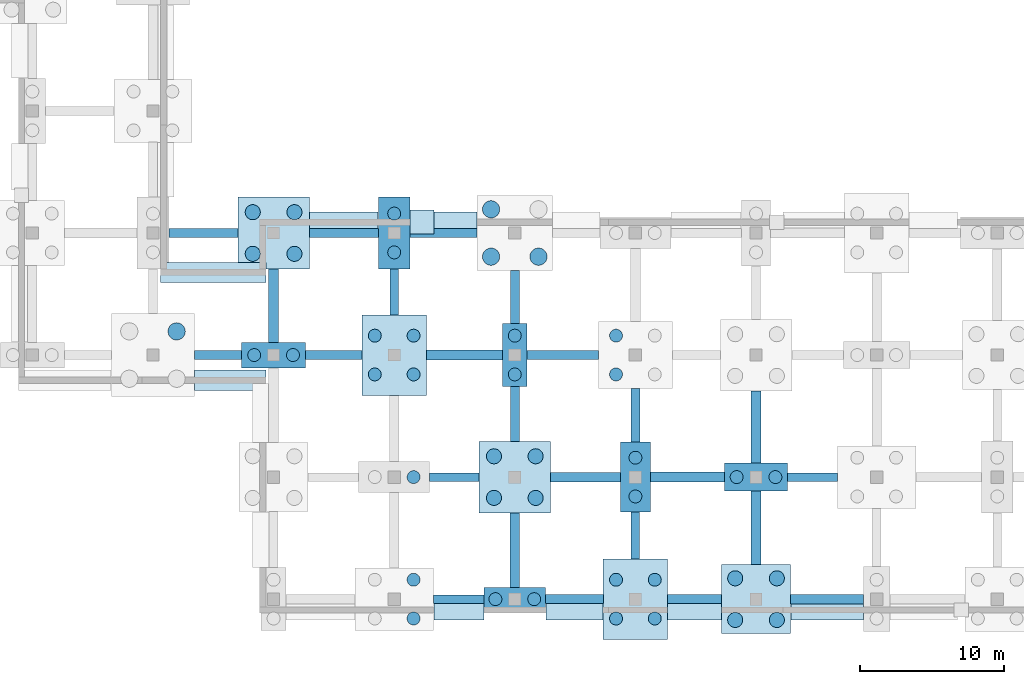
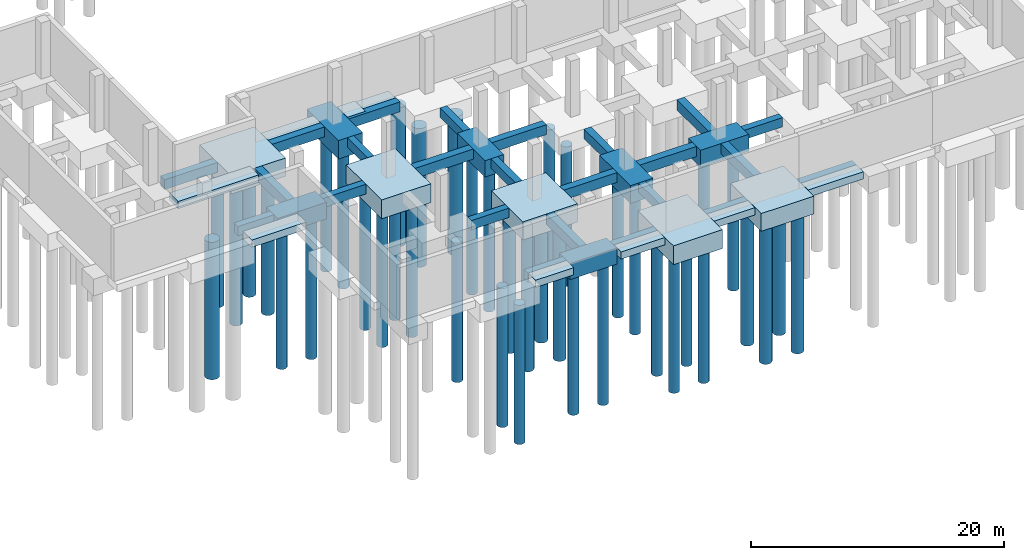
# One storey, part 12 of 34: 44 footings, 41 piles.
"""IFC4 building model written with IfcOpenShell, lengths in metres."""

from ifc_helpers import new_model, si_unit, direction, frame, origin, origin_2d, place, context, subcontext, project, spatial, rectangle, circle, extrude, material, material_profile, profile_set, type_object, element, save


model = new_model("IFC4")

# Units and contexts
model_context = context("Model", 3, precision=1e-05, world=origin(), true_north=direction((0.0, 1.0)))
body_context = subcontext(model_context, "Body", "Model", "MODEL_VIEW")
ifc_project = project(units=[si_unit("LENGTHUNIT", "METRE"), si_unit("AREAUNIT", "SQUARE_METRE"), si_unit("VOLUMEUNIT", "CUBIC_METRE"), si_unit("PLANEANGLEUNIT", "RADIAN"), si_unit("MASSUNIT", "GRAM", prefix="KILO")], contexts=[model_context])

# Site, building, storey
site_placement = place(None, origin())
site = spatial("IfcSite", under=ifc_project, at=site_placement, CompositionType="ELEMENT")
building_placement = place(site_placement, origin())
building = spatial("IfcBuilding", under=site, at=building_placement, Name="Solvento Point Concert Hall", CompositionType="ELEMENT")
storey_placement = place(building_placement, frame((0.0, 0.0, -5.39990234375)))
storey = spatial("IfcBuildingStorey", under=building, at=storey_placement, Name="B01", CompositionType="ELEMENT", Elevation=-5.39990234375)

# Piles
ifc_material_1 = material(Name="Concrete C40/50", Category="concrete")
ifc_material_profile_1 = material_profile(ifc_material_1, circle(Radius=0.52490234375, at=origin_2d()), Name="BP-1050")
ifc_profile_set_1 = profile_set([ifc_material_profile_1], Name="Concrete C40/50")
pile_type_1 = type_object("IfcPileType", Name="BoredPile_1050", PredefinedType="BORED", material=ifc_profile_set_1)
for number, where, z_axis, x_axis, name in (
    (1, (148.550048828125, 24.050048828125, -1.66015625), (0.0, 0.0, -1.0), (1.0, 0.0, 0.0), "Bored pile BoredPile_1050 #523"),
    (2, (151.449951171875, 24.050048828125, -1.66015625), (0.0, 0.0, -1.0), (1.0, 0.0, 0.0), "Bored pile BoredPile_1050 #524"),
    (3, (148.550048828125, 26.949951171875, -1.66015625), (0.0, 0.0, -1.0), (1.0, 0.0, 0.0), "Bored pile BoredPile_1050 #525"),
    (4, (151.449951171875, 26.949951171875, -1.66015625), (0.0, 0.0, -1.0), (1.0, 0.0, 0.0), "Bored pile BoredPile_1050 #526"),
    (5, (165.35009765625, 7.050048828125, -1.66015625), (0.0, 0.0, -1.0), (1.0, 0.0, 0.0), "Bored pile BoredPile_1050 #595"),
    (6, (168.25, 7.050048828125, -1.66015625), (0.0, 0.0, -1.0), (1.0, 0.0, 0.0), "Bored pile BoredPile_1050 #596"),
    (7, (165.35009765625, 9.949951171875, -1.66015625), (0.0, 0.0, -1.0), (1.0, 0.0, 0.0), "Bored pile BoredPile_1050 #597"),
    (8, (168.25, 9.949951171875, -1.66015625), (0.0, 0.0, -1.0), (1.0, 0.0, 0.0), "Bored pile BoredPile_1050 #598"),
):
    element("IfcPile", number, at=place(storey_placement, frame(where, z_axis=z_axis, x_axis=x_axis)), inside=storey, type_object=pile_type_1, Name=name, PredefinedType="BORED", context=body_context, shape_type="SweptSolid", body=[
        extrude(circle(Radius=0.52490234375, at=origin_2d()), origin(), (0.0, 0.0, 1.0), 13.43994140625),
    ])
for number, where, z_axis, x_axis, name in (
    (9, (182.14990234375, -1.449951171875, -1.6201171875), (0.0, 0.0, -1.0), (1.0, 0.0, 0.0), "Bored pile BoredPile_1050 #661"),
    (10, (185.050048828125, -1.449951171875, -1.6201171875), (0.0, 0.0, -1.0), (1.0, 0.0, 0.0), "Bored pile BoredPile_1050 #662"),
    (11, (182.14990234375, 1.449951171875, -1.6201171875), (0.0, 0.0, -1.0), (1.0, 0.0, 0.0), "Bored pile BoredPile_1050 #663"),
    (12, (185.050048828125, 1.449951171875, -1.6201171875), (0.0, 0.0, -1.0), (1.0, 0.0, 0.0), "Bored pile BoredPile_1050 #664"),
):
    element("IfcPile", number, at=place(storey_placement, frame(where, z_axis=z_axis, x_axis=x_axis)), inside=storey, type_object=pile_type_1, Name=name, PredefinedType="BORED", context=body_context, shape_type="SweptSolid", body=[
        extrude(circle(Radius=0.52490234375, at=origin_2d()), origin(), (0.0, 0.0, 1.0), 13.47998046875),
    ])
ifc_material_2 = material(Name="Concrete C40/50", Category="concrete")
ifc_material_profile_2 = material_profile(ifc_material_2, circle(Radius=0.60009765625, at=origin_2d()), Name="BP-1200")
ifc_profile_set_2 = profile_set([ifc_material_profile_2], Name="Concrete C40/50")
pile_type_2 = type_object("IfcPileType", Name="BoredPile_1200", PredefinedType="BORED", material=ifc_profile_set_2)
pile_1_placement = place(storey_placement, frame((143.25, 18.64990234375, -1.85009765625), z_axis=(0.0, 0.0, -1.0), x_axis=(1.0, 0.0, 0.0)))
element("IfcPile", 13, at=pile_1_placement, inside=storey, type_object=pile_type_2, Name="Bored pile BoredPile_1200 #478", PredefinedType="BORED", context=body_context, shape_type="SweptSolid", body=[
    extrude(circle(Radius=0.60009765625, at=origin_2d()), origin(), (0.0, 0.0, 1.0), 13.25),
])
for number, where, z_axis, x_axis, name in (
    (14, (165.14990234375, 23.85009765625, -1.7001953125), (0.0, 0.0, -1.0), (1.0, 0.0, 0.0), "Bored pile BoredPile_1200 #601"),
    (15, (168.449951171875, 23.85009765625, -1.7001953125), (0.0, 0.0, -1.0), (1.0, 0.0, 0.0), "Bored pile BoredPile_1200 #602"),
    (16, (165.14990234375, 27.14990234375, -1.7001953125), (0.0, 0.0, -1.0), (1.0, 0.0, 0.0), "Bored pile BoredPile_1200 #603"),
):
    element("IfcPile", number, at=place(storey_placement, frame(where, z_axis=z_axis, x_axis=x_axis)), inside=storey, type_object=pile_type_2, Name=name, PredefinedType="BORED", context=body_context, shape_type="SweptSolid", body=[
        extrude(circle(Radius=0.60009765625, at=origin_2d()), origin(), (0.0, 0.0, 1.0), 13.39990234375),
    ])
ifc_material_3 = material(Name="Concrete C40/50", Category="concrete")
ifc_material_profile_3 = material_profile(ifc_material_3, circle(Radius=0.449951171875, at=origin_2d()), Name="BP-900")
ifc_profile_set_3 = profile_set([ifc_material_profile_3], Name="Concrete C40/50")
pile_type_3 = type_object("IfcPileType", Name="BoredPile_900", PredefinedType="BORED", material=ifc_profile_set_3)
for number, where, z_axis, x_axis, name in (
    (17, (148.64990234375, 17.0, -1.5), (0.0, 0.0, -1.0), (1.0, 0.0, 0.0), "Bored pile BoredPile_900 #521"),
    (18, (151.35009765625, 17.0, -1.5), (0.0, 0.0, -1.0), (1.0, 0.0, 0.0), "Bored pile BoredPile_900 #522"),
):
    element("IfcPile", number, at=place(storey_placement, frame(where, z_axis=z_axis, x_axis=x_axis)), inside=storey, type_object=pile_type_3, Name=name, PredefinedType="BORED", context=body_context, shape_type="SweptSolid", body=[
        extrude(circle(Radius=0.449951171875, at=origin_2d()), origin(), (0.0, 0.0, 1.0), 13.60009765625),
    ])
for number, where, z_axis, x_axis, name in (
    (19, (159.75, -1.35009765625, -1.68017578125), (0.0, 0.0, -1.0), (1.0, 0.0, 0.0), "Bored pile BoredPile_900 #554"),
    (20, (159.75, 1.35009765625, -1.68017578125), (0.0, 0.0, -1.0), (1.0, 0.0, 0.0), "Bored pile BoredPile_900 #556"),
):
    element("IfcPile", number, at=place(storey_placement, frame(where, z_axis=z_axis, x_axis=x_axis)), inside=storey, type_object=pile_type_3, Name=name, PredefinedType="BORED", context=body_context, shape_type="SweptSolid", body=[
        extrude(circle(Radius=0.449951171875, at=origin_2d()), origin(), (0.0, 0.0, 1.0), 13.419921875),
    ])
pile_2_placement = place(storey_placement, frame((159.75, 8.5, -1.650146484375), z_axis=(0.0, 0.0, -1.0), x_axis=(1.0, 0.0, 0.0)))
element("IfcPile", 21, at=pile_2_placement, inside=storey, type_object=pile_type_3, Name="Bored pile BoredPile_900 #558", PredefinedType="BORED", context=body_context, shape_type="SweptSolid", body=[
    extrude(circle(Radius=0.449951171875, at=origin_2d()), origin(), (0.0, 0.0, 1.0), 13.449951171875),
])
for number, where, z_axis, x_axis, name in (
    (22, (157.050048828125, 15.64990234375, -1.72021484375), (0.0, 0.0, -1.0), (1.0, 0.0, 0.0), "Bored pile BoredPile_900 #559"),
    (23, (159.75, 15.64990234375, -1.72021484375), (0.0, 0.0, -1.0), (1.0, 0.0, 0.0), "Bored pile BoredPile_900 #560"),
    (24, (157.050048828125, 18.35009765625, -1.72021484375), (0.0, 0.0, -1.0), (1.0, 0.0, 0.0), "Bored pile BoredPile_900 #561"),
    (25, (159.75, 18.35009765625, -1.72021484375), (0.0, 0.0, -1.0), (1.0, 0.0, 0.0), "Bored pile BoredPile_900 #562"),
):
    element("IfcPile", number, at=place(storey_placement, frame(where, z_axis=z_axis, x_axis=x_axis)), inside=storey, type_object=pile_type_3, Name=name, PredefinedType="BORED", context=body_context, shape_type="SweptSolid", body=[
        extrude(circle(Radius=0.449951171875, at=origin_2d()), origin(), (0.0, 0.0, 1.0), 13.3798828125),
    ])
for number, where, z_axis, x_axis, name in (
    (26, (158.39990234375, 24.14990234375, -1.68017578125), (0.0, 0.0, -1.0), (1.0, 0.0, 0.0), "Bored pile BoredPile_900 #563"),
    (27, (158.39990234375, 26.85009765625, -1.68017578125), (0.0, 0.0, -1.0), (1.0, 0.0, 0.0), "Bored pile BoredPile_900 #564"),
):
    element("IfcPile", number, at=place(storey_placement, frame(where, z_axis=z_axis, x_axis=x_axis)), inside=storey, type_object=pile_type_3, Name=name, PredefinedType="BORED", context=body_context, shape_type="SweptSolid", body=[
        extrude(circle(Radius=0.449951171875, at=origin_2d()), origin(), (0.0, 0.0, 1.0), 13.419921875),
    ])
for number, where, z_axis, x_axis, name in (
    (28, (165.449951171875, 0.0, -1.4501953125), (0.0, 0.0, -1.0), (1.0, 0.0, 0.0), "Bored pile BoredPile_900 #593"),
    (29, (168.14990234375, 0.0, -1.4501953125), (0.0, 0.0, -1.0), (1.0, 0.0, 0.0), "Bored pile BoredPile_900 #594"),
):
    element("IfcPile", number, at=place(storey_placement, frame(where, z_axis=z_axis, x_axis=x_axis)), inside=storey, type_object=pile_type_3, Name=name, PredefinedType="BORED", context=body_context, shape_type="SweptSolid", body=[
        extrude(circle(Radius=0.449951171875, at=origin_2d()), origin(), (0.0, 0.0, 1.0), 13.64990234375),
    ])
for number, where, z_axis, x_axis, name in (
    (30, (166.800048828125, 15.64990234375, -1.47998046875), (0.0, 0.0, -1.0), (1.0, 0.0, 0.0), "Bored pile BoredPile_900 #599"),
    (31, (166.800048828125, 18.35009765625, -1.47998046875), (0.0, 0.0, -1.0), (1.0, 0.0, 0.0), "Bored pile BoredPile_900 #600"),
):
    element("IfcPile", number, at=place(storey_placement, frame(where, z_axis=z_axis, x_axis=x_axis)), inside=storey, type_object=pile_type_3, Name=name, PredefinedType="BORED", context=body_context, shape_type="SweptSolid", body=[
        extrude(circle(Radius=0.449951171875, at=origin_2d()), origin(), (0.0, 0.0, 1.0), 13.6201171875),
    ])
for number, where, z_axis, x_axis, name in (
    (32, (173.85009765625, -1.35009765625, -1.72021484375), (0.0, 0.0, -1.0), (1.0, 0.0, 0.0), "Bored pile BoredPile_900 #631"),
    (33, (176.550048828125, -1.35009765625, -1.72021484375), (0.0, 0.0, -1.0), (1.0, 0.0, 0.0), "Bored pile BoredPile_900 #632"),
    (34, (173.85009765625, 1.35009765625, -1.72021484375), (0.0, 0.0, -1.0), (1.0, 0.0, 0.0), "Bored pile BoredPile_900 #633"),
    (35, (176.550048828125, 1.35009765625, -1.72021484375), (0.0, 0.0, -1.0), (1.0, 0.0, 0.0), "Bored pile BoredPile_900 #634"),
):
    element("IfcPile", number, at=place(storey_placement, frame(where, z_axis=z_axis, x_axis=x_axis)), inside=storey, type_object=pile_type_3, Name=name, PredefinedType="BORED", context=body_context, shape_type="SweptSolid", body=[
        extrude(circle(Radius=0.449951171875, at=origin_2d()), origin(), (0.0, 0.0, 1.0), 13.3798828125),
    ])
for number, where, z_axis, x_axis, name in (
    (36, (175.199951171875, 7.14990234375, -1.6201171875), (0.0, 0.0, -1.0), (1.0, 0.0, 0.0), "Bored pile BoredPile_900 #635"),
    (37, (175.199951171875, 9.85009765625, -1.6201171875), (0.0, 0.0, -1.0), (1.0, 0.0, 0.0), "Bored pile BoredPile_900 #636"),
):
    element("IfcPile", number, at=place(storey_placement, frame(where, z_axis=z_axis, x_axis=x_axis)), inside=storey, type_object=pile_type_3, Name=name, PredefinedType="BORED", context=body_context, shape_type="SweptSolid", body=[
        extrude(circle(Radius=0.449951171875, at=origin_2d()), origin(), (0.0, 0.0, 1.0), 13.47998046875),
    ])
for number, where, z_axis, x_axis, name in (
    (38, (173.85009765625, 15.64990234375, -1.64013671875), (0.0, 0.0, -1.0), (1.0, 0.0, 0.0), "Bored pile BoredPile_900 #637"),
    (39, (173.85009765625, 18.35009765625, -1.64013671875), (0.0, 0.0, -1.0), (1.0, 0.0, 0.0), "Bored pile BoredPile_900 #639"),
):
    element("IfcPile", number, at=place(storey_placement, frame(where, z_axis=z_axis, x_axis=x_axis)), inside=storey, type_object=pile_type_3, Name=name, PredefinedType="BORED", context=body_context, shape_type="SweptSolid", body=[
        extrude(circle(Radius=0.449951171875, at=origin_2d()), origin(), (0.0, 0.0, 1.0), 13.4599609375),
    ])
for number, where, z_axis, x_axis, name in (
    (40, (182.25, 8.5, -1.5400390625), (0.0, 0.0, -1.0), (1.0, 0.0, 0.0), "Bored pile BoredPile_900 #665"),
    (41, (184.949951171875, 8.5, -1.5400390625), (0.0, 0.0, -1.0), (1.0, 0.0, 0.0), "Bored pile BoredPile_900 #666"),
):
    element("IfcPile", number, at=place(storey_placement, frame(where, z_axis=z_axis, x_axis=x_axis)), inside=storey, type_object=pile_type_3, Name=name, PredefinedType="BORED", context=body_context, shape_type="SweptSolid", body=[
        extrude(circle(Radius=0.449951171875, at=origin_2d()), origin(), (0.0, 0.0, 1.0), 13.56005859375),
    ])

# Footings
ifc_material_4 = material(Name="Concrete C40/50", Category="concrete")
footing_type_1 = type_object("IfcFootingType", Name="PileCap_2A", PredefinedType="PILE_CAP", material=ifc_material_4)
footing_1_placement = place(storey_placement, frame((166.800048828125, 0.0, -1.55029296875), z_axis=(0.0, 0.0, 1.0), x_axis=(1.0, 0.0, 0.0)))
element("IfcFooting", 42, at=footing_1_placement, inside=storey, type_object=footing_type_1, Name="Pile cap PC-2A at G-21-A", PredefinedType="PILE_CAP", context=body_context, shape_type="SweptSolid", body=[
    extrude(rectangle(XDim=4.300048828125, YDim=1.64990234375, at=origin_2d()), origin(), (0.0, 0.0, 1.0), 1.550048828125),
])
ifc_material_5 = material(Name="Concrete C40/50", Category="concrete")
footing_type_2 = type_object("IfcFootingType", Name="PileCap_2B", PredefinedType="PILE_CAP", material=ifc_material_5)
footing_2_placement = place(storey_placement, frame((166.800048828125, 17.0, -1.580078125), z_axis=(0.0, 0.0, 1.0), x_axis=(1.0, 0.0, 0.0)))
element("IfcFooting", 43, at=footing_2_placement, inside=storey, type_object=footing_type_2, Name="Pile cap PC-2B at G-21-C", PredefinedType="PILE_CAP", context=body_context, shape_type="SweptSolid", body=[
    extrude(rectangle(XDim=1.719970703125, YDim=4.3798828125, at=origin_2d()), origin(), (0.0, 0.0, 1.0), 1.580078125),
])
ifc_material_6 = material(Name="Concrete C40/50", Category="concrete")
footing_type_3 = type_object("IfcFootingType", Name="PileCap_2C", PredefinedType="PILE_CAP", material=ifc_material_6)
footing_3_placement = place(storey_placement, frame((150.0, 17.0, -1.60009765625), z_axis=(0.0, 0.0, 1.0), x_axis=(1.0, 0.0, 0.0)))
element("IfcFooting", 44, at=footing_3_placement, inside=storey, type_object=footing_type_3, Name="Pile cap PC-2C at G-19-C", PredefinedType="PILE_CAP", context=body_context, shape_type="SweptSolid", body=[
    extrude(rectangle(XDim=4.4599609375, YDim=1.780029296875, at=origin_2d()), origin(), (0.0, 0.0, 1.0), 1.60009765625),
])
ifc_material_7 = material(Name="Concrete C40/50", Category="concrete")
footing_type_4 = type_object("IfcFootingType", Name="PileCap_2H", PredefinedType="PILE_CAP", material=ifc_material_7)
footing_4_placement = place(storey_placement, frame((175.199951171875, 8.5, -1.72021484375), z_axis=(0.0, 0.0, 1.0), x_axis=(1.0, 0.0, 0.0)))
element("IfcFooting", 45, at=footing_4_placement, inside=storey, type_object=footing_type_4, Name="Pile cap PC-2H at G-22-B", PredefinedType="PILE_CAP", context=body_context, shape_type="SweptSolid", body=[
    extrude(rectangle(XDim=2.080078125, YDim=4.860107421875, at=origin_2d()), origin(), (0.0, 0.0, 1.0), 1.719970703125),
])
ifc_material_8 = material(Name="Concrete C40/50", Category="concrete")
footing_type_5 = type_object("IfcFootingType", Name="PileCap_2K", PredefinedType="PILE_CAP", material=ifc_material_8)
footing_5_placement = place(storey_placement, frame((158.39990234375, 25.5, -1.7802734375), z_axis=(0.0, 0.0, 1.0), x_axis=(1.0, 0.0, 0.0)))
element("IfcFooting", 46, at=footing_5_placement, inside=storey, type_object=footing_type_5, Name="Pile cap PC-2K at G-20-D", PredefinedType="PILE_CAP", context=body_context, shape_type="SweptSolid", body=[
    extrude(rectangle(XDim=2.199951171875, YDim=5.02001953125, at=origin_2d()), origin(), (0.0, 0.0, 1.0), 1.780029296875),
])
ifc_material_9 = material(Name="Concrete C40/50", Category="concrete")
footing_type_6 = type_object("IfcFootingType", Name="PileCap_2N", PredefinedType="PILE_CAP", material=ifc_material_9)
footing_6_placement = place(storey_placement, frame((183.60009765625, 8.5, -1.64013671875), z_axis=(0.0, 0.0, 1.0), x_axis=(1.0, 0.0, 0.0)))
element("IfcFooting", 47, at=footing_6_placement, inside=storey, type_object=footing_type_6, Name="Pile cap PC-2N at G-23-B", PredefinedType="PILE_CAP", context=body_context, shape_type="SweptSolid", body=[
    extrude(rectangle(XDim=4.39990234375, YDim=1.93994140625, at=origin_2d()), origin(), (0.0, 0.0, 1.0), 1.639892578125),
])
ifc_material_10 = material(Name="Concrete C40/50", Category="concrete")
footing_type_7 = type_object("IfcFootingType", Name="PileCap_4C", PredefinedType="PILE_CAP", material=ifc_material_10)
footing_7_placement = place(storey_placement, frame((183.60009765625, 0.0, -1.72021484375), z_axis=(0.0, 0.0, 1.0), x_axis=(1.0, 0.0, 0.0)))
element("IfcFooting", 48, at=footing_7_placement, inside=storey, type_object=footing_type_7, Name="Pile cap PC-4C at G-23-A", PredefinedType="PILE_CAP", context=body_context, shape_type="SweptSolid", body=[
    extrude(rectangle(XDim=4.820068359375, YDim=4.820068359375, at=origin_2d()), origin(), (0.0, 0.0, 1.0), 1.719970703125),
])
ifc_material_11 = material(Name="Concrete C40/50", Category="concrete")
footing_type_8 = type_object("IfcFootingType", Name="PileCap_4D", PredefinedType="PILE_CAP", material=ifc_material_11)
for number, where, z_axis, x_axis, name in (
    (49, (150.0, 25.5, -1.76025390625), (0.0, 0.0, 1.0), (1.0, 0.0, 0.0), "Pile cap PC-4D at G-19-D"),
    (50, (166.800048828125, 8.5, -1.76025390625), (0.0, 0.0, 1.0), (1.0, 0.0, 0.0), "Pile cap PC-4D at G-21-B"),
):
    element("IfcFooting", number, at=place(storey_placement, frame(where, z_axis=z_axis, x_axis=x_axis)), inside=storey, type_object=footing_type_8, Name=name, PredefinedType="PILE_CAP", context=body_context, shape_type="SweptSolid", body=[
        extrude(rectangle(XDim=4.97998046875, YDim=4.97998046875, at=origin_2d()), origin(), (0.0, 0.0, 1.0), 1.760009765625),
    ])
ifc_material_12 = material(Name="Concrete C40/50", Category="concrete")
footing_type_9 = type_object("IfcFootingType", Name="PileCap_4K", PredefinedType="PILE_CAP", material=ifc_material_12)
for number, where, z_axis, x_axis, name in (
    (51, (158.39990234375, 17.0, -1.8203125), (0.0, 0.0, 1.0), (1.0, 0.0, 0.0), "Pile cap PC-4K at G-20-C"),
    (52, (175.199951171875, 0.0, -1.8203125), (0.0, 0.0, 1.0), (1.0, 0.0, 0.0), "Pile cap PC-4K at G-22-A"),
):
    element("IfcFooting", number, at=place(storey_placement, frame(where, z_axis=z_axis, x_axis=x_axis)), inside=storey, type_object=footing_type_9, Name=name, PredefinedType="PILE_CAP", context=body_context, shape_type="SweptSolid", body=[
        extrude(rectangle(XDim=4.47998046875, YDim=5.60009765625, at=origin_2d()), origin(), (0.0, 0.0, 1.0), 1.820068359375),
    ])
ifc_material_13 = material(Name="Concrete C40/50", Category="concrete")
footing_type_10 = type_object("IfcFootingType", Name="StripFooting_1400x700", PredefinedType="STRIP_FOOTING", material=ifc_material_13)
footing_8_placement = place(storey_placement, frame((145.800048828125, 22.7548828125, -0.7001953125), z_axis=(0.0, 0.0, 1.0), x_axis=(1.0, 0.0, 0.0)))
element("IfcFooting", 53, at=footing_8_placement, inside=storey, type_object=footing_type_10, Name="Strip footing SF-02", PredefinedType="STRIP_FOOTING", context=body_context, shape_type="SweptSolid", body=[
    extrude(rectangle(XDim=7.340087890625, YDim=1.39990234375, at=origin_2d()), origin(), (0.0, 0.0, 1.0), 0.699951171875),
])
footing_9_placement = place(storey_placement, frame((154.89501953125, 26.2548828125, -0.7001953125), z_axis=(0.0, 0.0, 1.0), x_axis=(1.0, 0.0, 0.0)))
element("IfcFooting", 54, at=footing_9_placement, inside=storey, type_object=footing_type_10, Name="Strip footing SF-02", PredefinedType="STRIP_FOOTING", context=body_context, shape_type="SweptSolid", body=[
    extrude(rectangle(XDim=4.7900390625, YDim=1.39990234375, at=origin_2d()), origin(), (0.0, 0.0, 1.0), 0.699951171875),
])
footing_10_placement = place(storey_placement, frame((160.341064453125, 26.2548828125, -0.7001953125), z_axis=(0.0, 0.0, 1.0), x_axis=(1.0, 0.0, 0.0)))
element("IfcFooting", 55, at=footing_10_placement, inside=storey, type_object=footing_type_10, Name="Strip footing SF-02", PredefinedType="STRIP_FOOTING", context=body_context, shape_type="SweptSolid", body=[
    extrude(rectangle(XDim=1.662109375, YDim=1.662109375, at=origin_2d()), origin(), (0.0, 0.0, 1.0), 0.699951171875),
])
footing_11_placement = place(storey_placement, frame((162.673583984375, 26.2548828125, -0.7001953125), z_axis=(0.0, 0.0, 1.0), x_axis=(1.0, 0.0, 0.0)))
element("IfcFooting", 56, at=footing_11_placement, inside=storey, type_object=footing_type_10, Name="Strip footing SF-02", PredefinedType="STRIP_FOOTING", context=body_context, shape_type="SweptSolid", body=[
    extrude(rectangle(XDim=2.98291015625, YDim=1.39990234375, at=origin_2d()), origin(), (0.0, 0.0, 1.0), 0.699951171875),
])
footing_12_placement = place(storey_placement, frame((188.544921875, -0.7548828125, -0.7001953125), z_axis=(0.0, 0.0, 1.0), x_axis=(-1.0, 0.0, 0.0)))
element("IfcFooting", 57, at=footing_12_placement, inside=storey, type_object=footing_type_10, Name="Strip footing SF-02", PredefinedType="STRIP_FOOTING", context=body_context, shape_type="SweptSolid", body=[
    extrude(rectangle(XDim=5.050048828125, YDim=1.39990234375, at=origin_2d()), origin(), (0.0, 0.0, 1.0), 0.699951171875),
])
footing_13_placement = place(storey_placement, frame((179.31494140625, -0.7548828125, -0.7001953125), z_axis=(0.0, 0.0, 1.0), x_axis=(-1.0, 0.0, 0.0)))
element("IfcFooting", 58, at=footing_13_placement, inside=storey, type_object=footing_type_10, Name="Strip footing SF-02", PredefinedType="STRIP_FOOTING", context=body_context, shape_type="SweptSolid", body=[
    extrude(rectangle(XDim=3.72998046875, YDim=1.39990234375, at=origin_2d()), origin(), (0.0, 0.0, 1.0), 0.699951171875),
])
footing_14_placement = place(storey_placement, frame((170.955078125, -0.7548828125, -0.7001953125), z_axis=(0.0, 0.0, 1.0), x_axis=(-1.0, 0.0, 0.0)))
element("IfcFooting", 59, at=footing_14_placement, inside=storey, type_object=footing_type_10, Name="Strip footing SF-02", PredefinedType="STRIP_FOOTING", context=body_context, shape_type="SweptSolid", body=[
    extrude(rectangle(XDim=3.989990234375, YDim=1.39990234375, at=origin_2d()), origin(), (0.0, 0.0, 1.0), 0.699951171875),
])
footing_15_placement = place(storey_placement, frame((162.906005859375, -0.7548828125, -0.7001953125), z_axis=(0.0, 0.0, 1.0), x_axis=(-1.0, 0.0, 0.0)))
element("IfcFooting", 60, at=footing_15_placement, inside=storey, type_object=footing_type_10, Name="Strip footing SF-02", PredefinedType="STRIP_FOOTING", context=body_context, shape_type="SweptSolid", body=[
    extrude(rectangle(XDim=3.468017578125, YDim=1.39990234375, at=origin_2d()), origin(), (0.0, 0.0, 1.0), 0.699951171875),
])
footing_16_placement = place(storey_placement, frame((146.989990234375, 15.2451171875, -0.7001953125), z_axis=(0.0, 0.0, 1.0), x_axis=(-1.0, 0.0, 0.0)))
element("IfcFooting", 61, at=footing_16_placement, inside=storey, type_object=footing_type_10, Name="Strip footing SF-02", PredefinedType="STRIP_FOOTING", context=body_context, shape_type="SweptSolid", body=[
    extrude(rectangle(XDim=4.9599609375, YDim=1.39990234375, at=origin_2d()), origin(), (0.0, 0.0, 1.0), 0.699951171875),
])
ifc_material_14 = material(Name="Concrete C40/50", Category="concrete")
footing_type_11 = type_object("IfcFootingType", Name="TieBeam_600x900", PredefinedType="FOOTING_BEAM", material=ifc_material_14)
footing_17_placement = place(storey_placement, frame((162.889892578125, 0.0, -0.900146484375), z_axis=(0.0, 0.0, 1.0), x_axis=(1.0, 0.0, 0.0)))
element("IfcFooting", 62, at=footing_17_placement, inside=storey, type_object=footing_type_11, Name="Seismic tie beam GB-01", PredefinedType="FOOTING_BEAM", context=body_context, shape_type="SweptSolid", body=[
    extrude(rectangle(XDim=3.52001953125, YDim=0.60009765625, at=origin_2d()), origin(), (0.0, 0.0, 1.0), 0.89990234375),
])
footing_18_placement = place(storey_placement, frame((162.590087890625, 8.5, -0.900146484375), z_axis=(0.0, 0.0, 1.0), x_axis=(1.0, 0.0, 0.0)))
element("IfcFooting", 63, at=footing_18_placement, inside=storey, type_object=footing_type_11, Name="Seismic tie beam GB-01", PredefinedType="FOOTING_BEAM", context=body_context, shape_type="SweptSolid", body=[
    extrude(rectangle(XDim=3.43994140625, YDim=0.60009765625, at=origin_2d()), origin(), (0.0, 0.0, 1.0), 0.89990234375),
])
footing_19_placement = place(storey_placement, frame((187.534912109375, 8.5, -0.900146484375), z_axis=(0.0, 0.0, 1.0), x_axis=(1.0, 0.0, 0.0)))
element("IfcFooting", 64, at=footing_19_placement, inside=storey, type_object=footing_type_11, Name="Seismic tie beam GB-01", PredefinedType="FOOTING_BEAM", context=body_context, shape_type="SweptSolid", body=[
    extrude(rectangle(XDim=3.469970703125, YDim=0.60009765625, at=origin_2d()), origin(), (0.0, 0.0, 1.0), 0.89990234375),
])
footing_20_placement = place(storey_placement, frame((146.135009765625, 17.0, -0.900146484375), z_axis=(0.0, 0.0, 1.0), x_axis=(1.0, 0.0, 0.0)))
element("IfcFooting", 65, at=footing_20_placement, inside=storey, type_object=footing_type_11, Name="Seismic tie beam GB-01", PredefinedType="FOOTING_BEAM", context=body_context, shape_type="SweptSolid", body=[
    extrude(rectangle(XDim=3.27001953125, YDim=0.60009765625, at=origin_2d()), origin(), (0.0, 0.0, 1.0), 0.89990234375),
])
footing_21_placement = place(storey_placement, frame((158.39990234375, 21.39501953125, -0.900146484375), z_axis=(0.0, 0.0, 1.0), x_axis=(0.0, 1.0, 0.0)))
element("IfcFooting", 66, at=footing_21_placement, inside=storey, type_object=footing_type_11, Name="Seismic tie beam GB-01", PredefinedType="FOOTING_BEAM", context=body_context, shape_type="SweptSolid", body=[
    extrude(rectangle(XDim=3.18994140625, YDim=0.60009765625, at=origin_2d()), origin(), (0.0, 0.0, 1.0), 0.89990234375),
])
footing_22_placement = place(storey_placement, frame((175.199951171875, 4.43505859375, -0.900146484375), z_axis=(0.0, 0.0, 1.0), x_axis=(0.0, 1.0, 0.0)))
element("IfcFooting", 67, at=footing_22_placement, inside=storey, type_object=footing_type_11, Name="Seismic tie beam GB-01", PredefinedType="FOOTING_BEAM", context=body_context, shape_type="SweptSolid", body=[
    extrude(rectangle(XDim=3.27001953125, YDim=0.60009765625, at=origin_2d()), origin(), (0.0, 0.0, 1.0), 0.89990234375),
])
ifc_material_15 = material(Name="Concrete C40/50", Category="concrete")
footing_type_12 = type_object("IfcFootingType", Name="TieBeam_620x920", PredefinedType="FOOTING_BEAM", material=ifc_material_15)
footing_23_placement = place(storey_placement, frame((170.955078125, 0.0, -0.920166015625), z_axis=(0.0, 0.0, 1.0), x_axis=(1.0, 0.0, 0.0)))
element("IfcFooting", 68, at=footing_23_placement, inside=storey, type_object=footing_type_12, Name="Seismic tie beam GB-02", PredefinedType="FOOTING_BEAM", context=body_context, shape_type="SweptSolid", body=[
    extrude(rectangle(XDim=4.010009765625, YDim=0.6201171875, at=origin_2d()), origin(), (0.0, 0.0, 1.0), 0.919921875),
])
footing_24_placement = place(storey_placement, frame((179.31494140625, 0.0, -0.920166015625), z_axis=(0.0, 0.0, 1.0), x_axis=(1.0, 0.0, 0.0)))
element("IfcFooting", 69, at=footing_24_placement, inside=storey, type_object=footing_type_12, Name="Seismic tie beam GB-02", PredefinedType="FOOTING_BEAM", context=body_context, shape_type="SweptSolid", body=[
    extrude(rectangle(XDim=3.75, YDim=0.6201171875, at=origin_2d()), origin(), (0.0, 0.0, 1.0), 0.919921875),
])
footing_25_placement = place(storey_placement, frame((154.195068359375, 17.0, -0.920166015625), z_axis=(0.0, 0.0, 1.0), x_axis=(1.0, 0.0, 0.0)))
element("IfcFooting", 70, at=footing_25_placement, inside=storey, type_object=footing_type_12, Name="Seismic tie beam GB-02", PredefinedType="FOOTING_BEAM", context=body_context, shape_type="SweptSolid", body=[
    extrude(rectangle(XDim=3.929931640625, YDim=0.6201171875, at=origin_2d()), origin(), (0.0, 0.0, 1.0), 0.919921875),
])
footing_26_placement = place(storey_placement, frame((166.800048828125, 12.89990234375, -0.920166015625), z_axis=(0.0, 0.0, 1.0), x_axis=(0.0, 1.0, 0.0)))
element("IfcFooting", 71, at=footing_26_placement, inside=storey, type_object=footing_type_12, Name="Seismic tie beam GB-02", PredefinedType="FOOTING_BEAM", context=body_context, shape_type="SweptSolid", body=[
    extrude(rectangle(XDim=3.820068359375, YDim=0.6201171875, at=origin_2d()), origin(), (0.0, 0.0, 1.0), 0.919921875),
])
footing_27_placement = place(storey_placement, frame((166.800048828125, 21.032470703125, -0.920166015625), z_axis=(0.0, 0.0, 1.0), x_axis=(0.0, 1.0, 0.0)))
element("IfcFooting", 72, at=footing_27_placement, inside=storey, type_object=footing_type_12, Name="Seismic tie beam GB-02", PredefinedType="FOOTING_BEAM", context=body_context, shape_type="SweptSolid", body=[
    extrude(rectangle(XDim=3.68505859375, YDim=0.6201171875, at=origin_2d()), origin(), (0.0, 0.0, 1.0), 0.919921875),
])
footing_28_placement = place(storey_placement, frame((175.199951171875, 12.800048828125, -0.920166015625), z_axis=(0.0, 0.0, 1.0), x_axis=(0.0, 1.0, 0.0)))
element("IfcFooting", 73, at=footing_28_placement, inside=storey, type_object=footing_type_12, Name="Seismic tie beam GB-02", PredefinedType="FOOTING_BEAM", context=body_context, shape_type="SweptSolid", body=[
    extrude(rectangle(XDim=3.739990234375, YDim=0.6201171875, at=origin_2d()), origin(), (0.0, 0.0, 1.0), 0.919921875),
])
ifc_material_16 = material(Name="Concrete C40/50", Category="concrete")
footing_type_13 = type_object("IfcFootingType", Name="TieBeam_650x950", PredefinedType="FOOTING_BEAM", material=ifc_material_16)
footing_29_placement = place(storey_placement, frame((171.72509765625, 8.5, -0.9501953125), z_axis=(0.0, 0.0, 1.0), x_axis=(1.0, 0.0, 0.0)))
element("IfcFooting", 74, at=footing_29_placement, inside=storey, type_object=footing_type_13, Name="Seismic tie beam GB-03", PredefinedType="FOOTING_BEAM", context=body_context, shape_type="SweptSolid", body=[
    extrude(rectangle(XDim=4.8701171875, YDim=0.64990234375, at=origin_2d()), origin(), (0.0, 0.0, 1.0), 0.949951171875),
])
footing_30_placement = place(storey_placement, frame((170.139892578125, 17.0, -0.9501953125), z_axis=(0.0, 0.0, 1.0), x_axis=(1.0, 0.0, 0.0)))
element("IfcFooting", 75, at=footing_30_placement, inside=storey, type_object=footing_type_13, Name="Seismic tie beam GB-03", PredefinedType="FOOTING_BEAM", context=body_context, shape_type="SweptSolid", body=[
    extrude(rectangle(XDim=4.9599609375, YDim=0.64990234375, at=origin_2d()), origin(), (0.0, 0.0, 1.0), 0.949951171875),
])
for number, where, z_axis, x_axis, name in (
    (76, (145.10498046875, 25.5, -0.9501953125), (0.0, 0.0, 1.0), (1.0, 0.0, 0.0), "Seismic tie beam GB-03"),
    (77, (154.89501953125, 25.5, -0.9501953125), (0.0, 0.0, 1.0), (1.0, 0.0, 0.0), "Seismic tie beam GB-03"),
):
    element("IfcFooting", number, at=place(storey_placement, frame(where, z_axis=z_axis, x_axis=x_axis)), inside=storey, type_object=footing_type_13, Name=name, PredefinedType="FOOTING_BEAM", context=body_context, shape_type="SweptSolid", body=[
        extrude(rectangle(XDim=4.81005859375, YDim=0.64990234375, at=origin_2d()), origin(), (0.0, 0.0, 1.0), 0.949951171875),
    ])
footing_31_placement = place(storey_placement, frame((161.83740234375, 25.5, -0.9501953125), z_axis=(0.0, 0.0, 1.0), x_axis=(1.0, 0.0, 0.0)))
element("IfcFooting", 78, at=footing_31_placement, inside=storey, type_object=footing_type_13, Name="Seismic tie beam GB-03", PredefinedType="FOOTING_BEAM", context=body_context, shape_type="SweptSolid", body=[
    extrude(rectangle(XDim=4.675048828125, YDim=0.64990234375, at=origin_2d()), origin(), (0.0, 0.0, 1.0), 0.949951171875),
])
ifc_material_17 = material(Name="Concrete C40/50", Category="concrete")
footing_type_14 = type_object("IfcFootingType", Name="TieBeam_680x980", PredefinedType="FOOTING_BEAM", material=ifc_material_17)
footing_32_placement = place(storey_placement, frame((188.544921875, 0.0, -0.97998046875), z_axis=(0.0, 0.0, 1.0), x_axis=(1.0, 0.0, 0.0)))
element("IfcFooting", 79, at=footing_32_placement, inside=storey, type_object=footing_type_14, Name="Seismic tie beam GB-04", PredefinedType="FOOTING_BEAM", context=body_context, shape_type="SweptSolid", body=[
    extrude(rectangle(XDim=5.070068359375, YDim=0.679931640625, at=origin_2d()), origin(), (0.0, 0.0, 1.0), 0.97998046875),
])
footing_33_placement = place(storey_placement, frame((178.820068359375, 8.5, -0.97998046875), z_axis=(0.0, 0.0, 1.0), x_axis=(1.0, 0.0, 0.0)))
element("IfcFooting", 80, at=footing_33_placement, inside=storey, type_object=footing_type_14, Name="Seismic tie beam GB-04", PredefinedType="FOOTING_BEAM", context=body_context, shape_type="SweptSolid", body=[
    extrude(rectangle(XDim=5.159912109375, YDim=0.679931640625, at=origin_2d()), origin(), (0.0, 0.0, 1.0), 0.97998046875),
])
footing_34_placement = place(storey_placement, frame((163.2900390625, 17.0, -0.97998046875), z_axis=(0.0, 0.0, 1.0), x_axis=(1.0, 0.0, 0.0)))
element("IfcFooting", 81, at=footing_34_placement, inside=storey, type_object=footing_type_14, Name="Seismic tie beam GB-04", PredefinedType="FOOTING_BEAM", context=body_context, shape_type="SweptSolid", body=[
    extrude(rectangle(XDim=5.300048828125, YDim=0.679931640625, at=origin_2d()), origin(), (0.0, 0.0, 1.0), 0.97998046875),
])
footing_35_placement = place(storey_placement, frame((150.0, 20.449951171875, -0.97998046875), z_axis=(0.0, 0.0, 1.0), x_axis=(0.0, 1.0, 0.0)))
element("IfcFooting", 82, at=footing_35_placement, inside=storey, type_object=footing_type_14, Name="Seismic tie beam GB-04", PredefinedType="FOOTING_BEAM", context=body_context, shape_type="SweptSolid", body=[
    extrude(rectangle(XDim=5.1201171875, YDim=0.679931640625, at=origin_2d()), origin(), (0.0, 0.0, 1.0), 0.97998046875),
])
footing_36_placement = place(storey_placement, frame((166.800048828125, 3.41748046875, -0.97998046875), z_axis=(0.0, 0.0, 1.0), x_axis=(0.0, 1.0, 0.0)))
element("IfcFooting", 83, at=footing_36_placement, inside=storey, type_object=footing_type_14, Name="Seismic tie beam GB-04", PredefinedType="FOOTING_BEAM", context=body_context, shape_type="SweptSolid", body=[
    extrude(rectangle(XDim=5.18505859375, YDim=0.679931640625, at=origin_2d()), origin(), (0.0, 0.0, 1.0), 0.97998046875),
])
footing_37_placement = place(storey_placement, frame((183.60009765625, 4.969970703125, -0.97998046875), z_axis=(0.0, 0.0, 1.0), x_axis=(0.0, 1.0, 0.0)))
element("IfcFooting", 84, at=footing_37_placement, inside=storey, type_object=footing_type_14, Name="Seismic tie beam GB-04", PredefinedType="FOOTING_BEAM", context=body_context, shape_type="SweptSolid", body=[
    extrude(rectangle(XDim=5.1201171875, YDim=0.679931640625, at=origin_2d()), origin(), (0.0, 0.0, 1.0), 0.97998046875),
])
footing_38_placement = place(storey_placement, frame((183.60009765625, 11.989990234375, -0.97998046875), z_axis=(0.0, 0.0, 1.0), x_axis=(0.0, 1.0, 0.0)))
element("IfcFooting", 85, at=footing_38_placement, inside=storey, type_object=footing_type_14, Name="Seismic tie beam GB-04", PredefinedType="FOOTING_BEAM", context=body_context, shape_type="SweptSolid", body=[
    extrude(rectangle(XDim=5.0400390625, YDim=0.679931640625, at=origin_2d()), origin(), (0.0, 0.0, 1.0), 0.97998046875),
])

save(model, "model.ifc")
